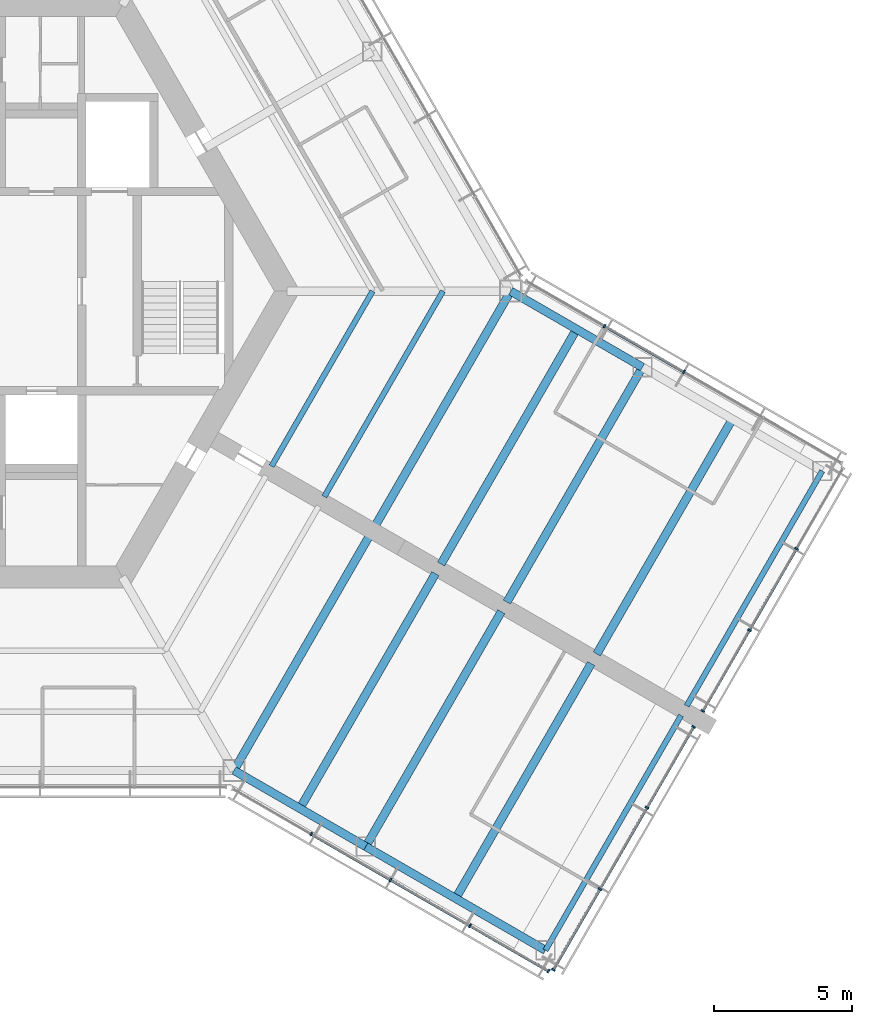
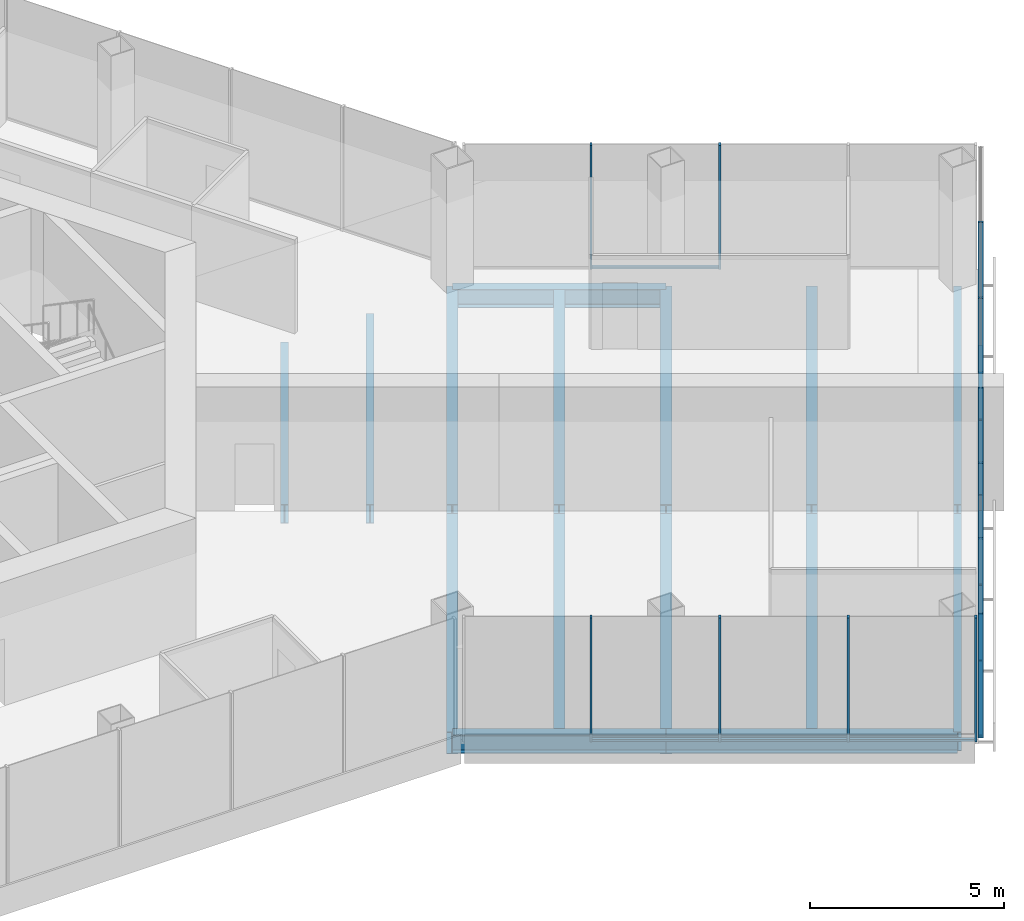
# One storey, part 4 of 15: 22 members, 15 beams, 4 elements without a shape of their own.
"""IFC4 building model written with IfcOpenShell, lengths in metres."""

from ifc_helpers import new_model, si_unit, direction, frame, origin, origin_2d, place, context, subcontext, project, spatial, rectangle, i_section, extrude, material, material_profile, profile_set, type_object, element, aggregate, save


model = new_model("IFC4")

# Units and contexts
model_context = context("Model", 3, precision=1e-05, world=origin(), true_north=direction((0.0, 1.0)))
body_context = subcontext(model_context, "Body", "Model", "MODEL_VIEW")
ifc_project = project(units=[si_unit("LENGTHUNIT", "METRE"), si_unit("AREAUNIT", "SQUARE_METRE"), si_unit("VOLUMEUNIT", "CUBIC_METRE"), si_unit("PLANEANGLEUNIT", "RADIAN"), si_unit("MASSUNIT", "GRAM", prefix="KILO")], contexts=[model_context])

# Site, building, storey
site_placement = place(None, origin())
site = spatial("IfcSite", under=ifc_project, at=site_placement, CompositionType="ELEMENT")
building_placement = place(site_placement, origin())
building = spatial("IfcBuilding", under=site, at=building_placement, Name="Kasaneha Research Tower", CompositionType="ELEMENT")
storey_placement = place(building_placement, frame((0.0, 0.0, 236.199951171875)))
storey = spatial("IfcBuildingStorey", under=building, at=storey_placement, Name="L59", CompositionType="ELEMENT", Elevation=236.199951171875)

# Beams
ifc_material_1 = material(Name="Steel SN490B", Category="steel")
ifc_material_profile_1 = material_profile(ifc_material_1, i_section(OverallWidth=0.199951171875, OverallDepth=0.60009765625, WebThickness=0.010986328125, FlangeThickness=0.01708984375, FilletRadius=0.012939453125, at=origin_2d()), Name="H-600x200x11x17")
ifc_profile_set_1 = profile_set([ifc_material_profile_1], Name="Steel SN490B")
beam_type_1 = type_object("IfcBeamType", Name="B1-3 secondary beam H-600x200x11x17", PredefinedType="JOIST", material=ifc_profile_set_1)
beam_1_placement = place(storey_placement, frame((15.010986328125, 0.0, -0.449951171875), z_axis=(-0.499974128195, -0.866040340363, 0.0), x_axis=(0.866040340363, -0.499974128195, 0.0)))
element("IfcBeam", 1, at=beam_1_placement, inside=storey, type_object=beam_type_1, Name="Secondary beam RS330R1 L59", PredefinedType="JOIST", context=body_context, shape_type="SweptSolid", body=[
    extrude(i_section(OverallWidth=0.199951171875, OverallDepth=0.60009765625, WebThickness=0.010986328125, FlangeThickness=0.01708984375, FilletRadius=0.012939453125, at=origin_2d()), origin(), (0.0, 0.0, 1.0), 7.3056640625),
])
beam_2_placement = place(storey_placement, frame((17.551513671875, 0.0, -0.449951171875), z_axis=(-0.500000102728, -0.866025344474, 0.0), x_axis=(0.866025344474, -0.500000102728, 0.0)))
element("IfcBeam", 2, at=beam_2_placement, inside=storey, type_object=beam_type_1, Name="Secondary beam RS330R2 L59", PredefinedType="JOIST", context=body_context, shape_type="SweptSolid", body=[
    extrude(i_section(OverallWidth=0.199951171875, OverallDepth=0.60009765625, WebThickness=0.010986328125, FlangeThickness=0.01708984375, FilletRadius=0.012939453125, at=origin_2d()), origin(), (0.0, 0.0, 1.0), 8.57568359375),
])
ifc_material_2 = material(Name="Steel SN490B", Category="steel")
ifc_material_profile_2 = material_profile(ifc_material_2, i_section(OverallWidth=0.300048828125, OverallDepth=0.58203125, WebThickness=0.011962890625, FlangeThickness=0.01708984375, FilletRadius=0.012939453125, at=origin_2d()), Name="H-582x300x12x17")
ifc_profile_set_2 = profile_set([ifc_material_profile_2], Name="Steel SN490B")
beam_type_2 = type_object("IfcBeamType", Name="B2-3 secondary beam H-582x300x12x17", PredefinedType="JOIST", material=ifc_profile_set_2)
for number, where, z_axis, x_axis, name in (
    (3, (12.381591796875, -18.695556640625, -0.44091796875), (0.49999201416, 0.866030014362, 0.0), (-0.866030014362, 0.49999201416, 0.0), "Secondary beam WBCP1 L59"),
    (4, (18.0107421875, -21.945556640625, -0.44091796875), (0.49999201416, 0.866030014362, 0.0), (-0.866030014362, 0.49999201416, 0.0), "Secondary beam WBCP2 L59"),
    (5, (22.381591796875, -1.375, -0.44091796875), (-0.49999201416, -0.866030014362, 0.0), (0.866030014362, -0.49999201416, 0.0), "Secondary beam WBCN1 L59"),
    (6, (28.0107421875, -4.625, -0.44091796875), (-0.49999201416, -0.866030014362, 0.0), (0.866030014362, -0.49999201416, 0.0), "Secondary beam WBCN2 L59"),
):
    element("IfcBeam", number, at=place(storey_placement, frame(where, z_axis=z_axis, x_axis=x_axis)), inside=storey, type_object=beam_type_2, Name=name, PredefinedType="JOIST", context=body_context, shape_type="SweptSolid", body=[
        extrude(i_section(OverallWidth=0.300048828125, OverallDepth=0.58203125, WebThickness=0.011962890625, FlangeThickness=0.01708984375, FilletRadius=0.012939453125, at=origin_2d()), origin(), (0.0, 0.0, 1.0), 9.800048828125),
    ])

# Curtain wall, members
ifc_material_3 = material(Name="Glass and aluminium", Category="aluminium")
curtain_wall_type = type_object("IfcCurtainWallType", Name="High-rise office curtain wall", PredefinedType="USERDEFINED", material=ifc_material_3)
curtain_wall_1_placement = place(storey_placement, origin())
curtain_wall_1 = element("IfcCurtainWall", 7, at=curtain_wall_1_placement, inside=storey, type_object=curtain_wall_type, Name="CW-O3 L59 run 06a", ObjectType="UNITISED CURTAIN WALL", PredefinedType="USERDEFINED")
ifc_material_4 = material(Name="Aluminium 6063-T6", Category="aluminium")
ifc_material_profile_3 = material_profile(ifc_material_4, rectangle(XDim=0.06005859375, YDim=0.139892578125, at=origin_2d()), Name="CW-O3 mullion 60x140")
ifc_profile_set_3 = profile_set([ifc_material_profile_3], Name="Aluminium 6063-T6")
member_type_1 = type_object("IfcMemberType", Name="CW-O3 mullion", PredefinedType="MULLION", material=ifc_profile_set_3)
member_1_placement = place(storey_placement, frame((12.792236328125, -19.62548828125, 0.0), z_axis=(0.0, 0.0, 1.0), x_axis=(0.866025411464, -0.499999986699, 0.0)))
member_1 = element("IfcMember", 8, at=member_1_placement, type_object=member_type_1, Name="CW-O3 mullion 2", PredefinedType="MULLION", context=body_context, shape_type="SweptSolid", body=[
    extrude(rectangle(XDim=0.06005859375, YDim=0.139892578125, at=origin_2d()), origin(), (0.0, 0.0, 1.0), 3.900146484375),
])
member_2_placement = place(storey_placement, frame((15.65869140625, -21.2802734375, 0.0), z_axis=(0.0, 0.0, 1.0), x_axis=(0.866025411464, -0.499999986699, 0.0)))
member_2 = element("IfcMember", 9, at=member_2_placement, type_object=member_type_1, Name="CW-O3 mullion 3", PredefinedType="MULLION", context=body_context, shape_type="SweptSolid", body=[
    extrude(rectangle(XDim=0.06005859375, YDim=0.139892578125, at=origin_2d()), origin(), (0.0, 0.0, 1.0), 3.900146484375),
])
member_3_placement = place(storey_placement, frame((18.52490234375, -22.935302734375, 0.0), z_axis=(0.0, 0.0, 1.0), x_axis=(0.866025411464, -0.499999986699, 0.0)))
member_3 = element("IfcMember", 10, at=member_3_placement, type_object=member_type_1, Name="CW-O3 mullion 4", PredefinedType="MULLION", context=body_context, shape_type="SweptSolid", body=[
    extrude(rectangle(XDim=0.06005859375, YDim=0.139892578125, at=origin_2d()), origin(), (0.0, 0.0, 1.0), 3.900146484375),
])
member_4_placement = place(storey_placement, frame((21.365478515625, -24.5751953125, 0.0), z_axis=(0.0, 0.0, 1.0), x_axis=(0.866025411464, -0.499999986699, 0.0)))
member_4 = element("IfcMember", 11, at=member_4_placement, type_object=member_type_1, Name="CW-O3 mullion 5", PredefinedType="MULLION", context=body_context, shape_type="SweptSolid", body=[
    extrude(rectangle(XDim=0.06005859375, YDim=0.139892578125, at=origin_2d()), origin(), (0.0, 0.0, 1.0), 3.900146484375),
])

curtain_wall_2_placement = place(storey_placement, origin())
curtain_wall_2 = element("IfcCurtainWall", 12, at=curtain_wall_2_placement, inside=storey, type_object=curtain_wall_type, Name="CW-O3 L59 run 07a", ObjectType="UNITISED CURTAIN WALL", PredefinedType="USERDEFINED")
member_5_placement = place(storey_placement, frame((21.54296875, -24.527587890625, 0.0), z_axis=(0.0, 0.0, 1.0), x_axis=(0.500000011442, 0.866025397178, 0.0)))
member_5 = element("IfcMember", 13, at=member_5_placement, type_object=member_type_1, Name="CW-O3 mullion 1", PredefinedType="MULLION", context=body_context, shape_type="SweptSolid", body=[
    extrude(rectangle(XDim=0.06005859375, YDim=0.139892578125, at=origin_2d()), origin(), (0.0, 0.0, 1.0), 3.900146484375),
])
member_6_placement = place(storey_placement, frame((23.22802734375, -21.609130859375, 0.0), z_axis=(0.0, 0.0, 1.0), x_axis=(0.500000011442, 0.866025397178, 0.0)))
member_6 = element("IfcMember", 14, at=member_6_placement, type_object=member_type_1, Name="CW-O3 mullion 2", PredefinedType="MULLION", context=body_context, shape_type="SweptSolid", body=[
    extrude(rectangle(XDim=0.06005859375, YDim=0.139892578125, at=origin_2d()), origin(), (0.0, 0.0, 1.0), 3.900146484375),
])
member_7_placement = place(storey_placement, frame((24.927978515625, -18.66455078125, 0.0), z_axis=(0.0, 0.0, 1.0), x_axis=(0.500000011442, 0.866025397178, 0.0)))
member_7 = element("IfcMember", 15, at=member_7_placement, type_object=member_type_1, Name="CW-O3 mullion 3", PredefinedType="MULLION", context=body_context, shape_type="SweptSolid", body=[
    extrude(rectangle(XDim=0.06005859375, YDim=0.139892578125, at=origin_2d()), origin(), (0.0, 0.0, 1.0), 3.900146484375),
])
member_8_placement = place(storey_placement, frame((26.613037109375, -15.74609375, 0.0), z_axis=(0.0, 0.0, 1.0), x_axis=(0.500000011442, 0.866025397178, 0.0)))
member_8 = element("IfcMember", 16, at=member_8_placement, type_object=member_type_1, Name="CW-O3 mullion 4", PredefinedType="MULLION", context=body_context, shape_type="SweptSolid", body=[
    extrude(rectangle(XDim=0.06005859375, YDim=0.139892578125, at=origin_2d()), origin(), (0.0, 0.0, 1.0), 3.900146484375),
])

curtain_wall_3_placement = place(storey_placement, origin())
curtain_wall_3 = element("IfcCurtainWall", 17, at=curtain_wall_3_placement, inside=storey, type_object=curtain_wall_type, Name="CW-O3 L59 run 08a", ObjectType="UNITISED CURTAIN WALL", PredefinedType="USERDEFINED")
member_9_placement = place(storey_placement, frame((26.94287109375, -15.174560546875, 0.0), z_axis=(0.0, 0.0, 1.0), x_axis=(0.500000011442, 0.866025397178, 0.0)))
member_9 = element("IfcMember", 18, at=member_9_placement, type_object=member_type_1, Name="CW-O3 mullion 1", PredefinedType="MULLION", context=body_context, shape_type="SweptSolid", body=[
    extrude(rectangle(XDim=0.06005859375, YDim=0.139892578125, at=origin_2d()), origin(), (0.0, 0.0, 1.0), 3.900146484375),
])
member_10_placement = place(storey_placement, frame((28.6279296875, -12.255859375, 0.0), z_axis=(0.0, 0.0, 1.0), x_axis=(0.500000011442, 0.866025397178, 0.0)))
member_10 = element("IfcMember", 19, at=member_10_placement, type_object=member_type_1, Name="CW-O3 mullion 2", PredefinedType="MULLION", context=body_context, shape_type="SweptSolid", body=[
    extrude(rectangle(XDim=0.06005859375, YDim=0.139892578125, at=origin_2d()), origin(), (0.0, 0.0, 1.0), 3.900146484375),
])
member_11_placement = place(storey_placement, frame((30.327880859375, -9.3115234375, 0.0), z_axis=(0.0, 0.0, 1.0), x_axis=(0.500000011442, 0.866025397178, 0.0)))
member_11 = element("IfcMember", 20, at=member_11_placement, type_object=member_type_1, Name="CW-O3 mullion 3", PredefinedType="MULLION", context=body_context, shape_type="SweptSolid", body=[
    extrude(rectangle(XDim=0.06005859375, YDim=0.139892578125, at=origin_2d()), origin(), (0.0, 0.0, 1.0), 3.900146484375),
])

curtain_wall_4_placement = place(storey_placement, origin())
curtain_wall_4 = element("IfcCurtainWall", 21, at=curtain_wall_4_placement, inside=storey, type_object=curtain_wall_type, Name="CW-O3 L59 run 09a", ObjectType="UNITISED CURTAIN WALL", PredefinedType="USERDEFINED")
member_12_placement = place(storey_placement, frame((26.258544921875, -2.920654296875, 0.0), z_axis=(0.0, 0.0, 1.0), x_axis=(-0.866025411464, 0.499999986699, 0.0)))
member_12 = element("IfcMember", 22, at=member_12_placement, type_object=member_type_1, Name="CW-O3 mullion 3", PredefinedType="MULLION", context=body_context, shape_type="SweptSolid", body=[
    extrude(rectangle(XDim=0.06005859375, YDim=0.139892578125, at=origin_2d()), origin(), (0.0, 0.0, 1.0), 3.900146484375),
])
member_13_placement = place(storey_placement, frame((23.39208984375, -1.265625, 0.0), z_axis=(0.0, 0.0, 1.0), x_axis=(-0.866025411464, 0.499999986699, 0.0)))
member_13 = element("IfcMember", 23, at=member_13_placement, type_object=member_type_1, Name="CW-O3 mullion 4", PredefinedType="MULLION", context=body_context, shape_type="SweptSolid", body=[
    extrude(rectangle(XDim=0.06005859375, YDim=0.139892578125, at=origin_2d()), origin(), (0.0, 0.0, 1.0), 3.900146484375),
])

# Member
ifc_material_5 = material(Name="Aluminium 6063-T6", Category="aluminium")
ifc_material_profile_4 = material_profile(ifc_material_5, rectangle(XDim=0.10009765625, YDim=0.06005859375, at=origin_2d()), Name="CW-O3 transom 100x60")
ifc_profile_set_4 = profile_set([ifc_material_profile_4], Name="Aluminium 6063-T6")
member_type_2 = type_object("IfcMemberType", Name="CW-O3 transom", PredefinedType="USERDEFINED", material=ifc_profile_set_4)
member_14_placement = place(storey_placement, frame((12.818115234375, -19.640380859375, 0.030029296875), z_axis=(0.866015446554, -0.500017246033, 0.0), x_axis=(0.500017246033, 0.866015446554, 0.0)))
member_14 = element("IfcMember", 24, at=member_14_placement, type_object=member_type_2, Name="CW-O3 transom 2", ObjectType="TRANSOM", PredefinedType="USERDEFINED", context=body_context, shape_type="SweptSolid", body=[
    extrude(rectangle(XDim=0.10009765625, YDim=0.06005859375, at=origin_2d()), origin(), (0.0, 0.0, 1.0), 3.25),
])

member_15_placement = place(storey_placement, frame((15.6845703125, -21.29541015625, 0.030029296875), z_axis=(0.86604797581, -0.499960902066, 0.0), x_axis=(0.499960902066, 0.86604797581, 0.0)))
member_15 = element("IfcMember", 25, at=member_15_placement, type_object=member_type_2, Name="CW-O3 transom 3", ObjectType="TRANSOM", PredefinedType="USERDEFINED", context=body_context, shape_type="SweptSolid", body=[
    extrude(rectangle(XDim=0.10009765625, YDim=0.06005859375, at=origin_2d()), origin(), (0.0, 0.0, 1.0), 3.249755859375),
])

member_16_placement = place(storey_placement, frame((18.551025390625, -22.9501953125, 0.030029296875), z_axis=(0.866022692473, -0.500004696101, 0.0), x_axis=(0.500004696101, 0.866022692473, 0.0)))
member_16 = element("IfcMember", 26, at=member_16_placement, type_object=member_type_2, Name="CW-O3 transom 4", ObjectType="TRANSOM", PredefinedType="USERDEFINED", context=body_context, shape_type="SweptSolid", body=[
    extrude(rectangle(XDim=0.10009765625, YDim=0.06005859375, at=origin_2d()), origin(), (0.0, 0.0, 1.0), 3.2197265625),
])

aggregate(curtain_wall_1, [member_1, member_2, member_3, member_4, member_14, member_15, member_16])

member_17_placement = place(storey_placement, frame((21.557861328125, -24.50146484375, 0.030029296875), z_axis=(0.500018282537, 0.866014848099, 0.0), x_axis=(-0.866014848099, 0.500018282537, 0.0)))
member_17 = element("IfcMember", 27, at=member_17_placement, type_object=member_type_2, Name="CW-O3 transom 1", ObjectType="TRANSOM", PredefinedType="USERDEFINED", context=body_context, shape_type="SweptSolid", body=[
    extrude(rectangle(XDim=0.10009765625, YDim=0.06005859375, at=origin_2d()), origin(), (0.0, 0.0, 1.0), 3.31005859375),
])

member_18_placement = place(storey_placement, frame((23.242919921875, -21.5830078125, 0.030029296875), z_axis=(0.499975549825, 0.866039519639, 0.0), x_axis=(-0.866039519639, 0.499975549825, 0.0)))
member_18 = element("IfcMember", 28, at=member_18_placement, type_object=member_type_2, Name="CW-O3 transom 2", ObjectType="TRANSOM", PredefinedType="USERDEFINED", context=body_context, shape_type="SweptSolid", body=[
    extrude(rectangle(XDim=0.10009765625, YDim=0.06005859375, at=origin_2d()), origin(), (0.0, 0.0, 1.0), 3.340087890625),
])

member_19_placement = place(storey_placement, frame((24.94287109375, -18.638671875, 0.030029296875), z_axis=(0.49998634449, 0.866033287653, 0.0), x_axis=(-0.866033287653, 0.49998634449, 0.0)))
member_19 = element("IfcMember", 29, at=member_19_placement, type_object=member_type_2, Name="CW-O3 transom 3", ObjectType="TRANSOM", PredefinedType="USERDEFINED", context=body_context, shape_type="SweptSolid", body=[
    extrude(rectangle(XDim=0.10009765625, YDim=0.06005859375, at=origin_2d()), origin(), (0.0, 0.0, 1.0), 3.31005859375),
])

aggregate(curtain_wall_2, [member_5, member_6, member_7, member_8, member_17, member_18, member_19])

member_20_placement = place(storey_placement, frame((26.9580078125, -15.1484375, 0.030029296875), z_axis=(0.500018282537, 0.866014848099, 0.0), x_axis=(-0.866014848099, 0.500018282537, 0.0)))
member_20 = element("IfcMember", 30, at=member_20_placement, type_object=member_type_2, Name="CW-O3 transom 1", ObjectType="TRANSOM", PredefinedType="USERDEFINED", context=body_context, shape_type="SweptSolid", body=[
    extrude(rectangle(XDim=0.10009765625, YDim=0.06005859375, at=origin_2d()), origin(), (0.0, 0.0, 1.0), 3.31005859375),
])

member_21_placement = place(storey_placement, frame((28.64306640625, -12.22998046875, 0.030029296875), z_axis=(0.499975549825, 0.866039519639, 0.0), x_axis=(-0.866039519639, 0.499975549825, 0.0)))
member_21 = element("IfcMember", 31, at=member_21_placement, type_object=member_type_2, Name="CW-O3 transom 2", ObjectType="TRANSOM", PredefinedType="USERDEFINED", context=body_context, shape_type="SweptSolid", body=[
    extrude(rectangle(XDim=0.10009765625, YDim=0.06005859375, at=origin_2d()), origin(), (0.0, 0.0, 1.0), 3.340087890625),
])

aggregate(curtain_wall_3, [member_9, member_10, member_11, member_20, member_21])

member_22_placement = place(storey_placement, frame((26.232666015625, -2.905517578125, 0.030029296875), z_axis=(-0.86604797581, 0.499960902066, 0.0), x_axis=(-0.499960902066, -0.86604797581, 0.0)))
member_22 = element("IfcMember", 32, at=member_22_placement, type_object=member_type_2, Name="CW-O3 transom 3", ObjectType="TRANSOM", PredefinedType="USERDEFINED", context=body_context, shape_type="SweptSolid", body=[
    extrude(rectangle(XDim=0.10009765625, YDim=0.06005859375, at=origin_2d()), origin(), (0.0, 0.0, 1.0), 3.249755859375),
])

aggregate(curtain_wall_4, [member_12, member_13, member_22])

# Beams
ifc_material_6 = material(Name="Steel SN490B", Category="steel")
ifc_material_profile_5 = material_profile(ifc_material_6, i_section(OverallWidth=0.300048828125, OverallDepth=0.69189453125, WebThickness=0.012939453125, FlangeThickness=0.02001953125, FilletRadius=0.01806640625, at=origin_2d()), Name="H-692x300x13x20")
ifc_profile_set_5 = profile_set([ifc_material_profile_5], Name="Steel SN490B")
beam_type_3 = type_object("IfcBeamType", Name="G3-3 plate edge girder H-692x300x13x20", PredefinedType="BEAM", material=ifc_profile_set_5)
for number, where, z_axis, x_axis, name in (
    (33, (10.0, -17.320556640625, -0.495849609375), (0.49999201416, 0.866030014362, 0.0), (-0.866030014362, 0.49999201416, 0.0), "Plate edge girder PECP L59"),
    (34, (20.0, 0.0, -0.495849609375), (-0.49999201416, -0.866030014362, 0.0), (0.866030014362, -0.49999201416, 0.0), "Plate edge girder PECN L59"),
):
    element("IfcBeam", number, at=place(storey_placement, frame(where, z_axis=z_axis, x_axis=x_axis)), inside=storey, type_object=beam_type_3, Name=name, PredefinedType="BEAM", context=body_context, shape_type="SweptSolid", body=[
        extrude(i_section(OverallWidth=0.300048828125, OverallDepth=0.69189453125, WebThickness=0.012939453125, FlangeThickness=0.02001953125, FilletRadius=0.01806640625, at=origin_2d()), origin(), (0.0, 0.0, 1.0), 9.800048828125),
    ])
ifc_material_7 = material(Name="Steel SN490B", Category="steel")
ifc_material_profile_6 = material_profile(ifc_material_7, i_section(OverallWidth=0.300048828125, OverallDepth=0.699951171875, WebThickness=0.012939453125, FlangeThickness=0.02392578125, FilletRadius=0.01806640625, at=origin_2d()), Name="H-700x300x13x24")
ifc_profile_set_6 = profile_set([ifc_material_profile_6], Name="Steel SN490B")
beam_type_4 = type_object("IfcBeamType", Name="G4-3 wing girder H-700x300x13x24", PredefinedType="BEAM", material=ifc_profile_set_6)
for number, where, z_axis, x_axis, name in (
    (35, (14.76318359375, -20.070556640625, -0.5), (0.49999201416, 0.866030014362, 0.0), (-0.866030014362, 0.49999201416, 0.0), "Wing girder WGCP L59"),
    (36, (24.76318359375, -2.75, -0.5), (-0.500010698315, -0.866019227021, 0.0), (0.866019227021, -0.500010698315, 0.0), "Wing girder WGCN L59"),
):
    element("IfcBeam", number, at=place(storey_placement, frame(where, z_axis=z_axis, x_axis=x_axis)), inside=storey, type_object=beam_type_4, Name=name, PredefinedType="BEAM", context=body_context, shape_type="SweptSolid", body=[
        extrude(i_section(OverallWidth=0.300048828125, OverallDepth=0.699951171875, WebThickness=0.012939453125, FlangeThickness=0.02392578125, FilletRadius=0.01806640625, at=origin_2d()), origin(), (0.0, 0.0, 1.0), 9.800048828125),
    ])
ifc_material_8 = material(Name="Steel SN490B", Category="steel")
ifc_material_profile_7 = material_profile(ifc_material_8, i_section(OverallWidth=0.300048828125, OverallDepth=0.58203125, WebThickness=0.011962890625, FlangeThickness=0.01708984375, FilletRadius=0.012939453125, at=origin_2d()), Name="H-582x300x12x17")
ifc_profile_set_7 = profile_set([ifc_material_profile_7], Name="Steel SN490B")
beam_type_5 = type_object("IfcBeamType", Name="SB2-3 spandrel beam H-582x300x12x17", PredefinedType="SPANDREL", material=ifc_profile_set_7)
beam_3_placement = place(storey_placement, frame((10.0, -17.320556640625, -0.44091796875), z_axis=(0.866027397988, -0.499996545922, 0.0), x_axis=(0.499996545922, 0.866027397988, 0.0)))
element("IfcBeam", 37, at=beam_3_placement, inside=storey, type_object=beam_type_5, Name="Spandrel beam WSCP1 L59", PredefinedType="SPANDREL", context=body_context, shape_type="SweptSolid", body=[
    extrude(i_section(OverallWidth=0.300048828125, OverallDepth=0.58203125, WebThickness=0.011962890625, FlangeThickness=0.01708984375, FilletRadius=0.012939453125, at=origin_2d()), origin(), (0.0, 0.0, 1.0), 5.5),
])
beam_4_placement = place(storey_placement, frame((14.76318359375, -20.070556640625, -0.44091796875), z_axis=(0.866022959057, -0.500004234368, 0.0), x_axis=(0.500004234368, 0.866022959057, 0.0)))
element("IfcBeam", 38, at=beam_4_placement, inside=storey, type_object=beam_type_5, Name="Spandrel beam WSCP2 L59", PredefinedType="SPANDREL", context=body_context, shape_type="SweptSolid", body=[
    extrude(i_section(OverallWidth=0.300048828125, OverallDepth=0.58203125, WebThickness=0.011962890625, FlangeThickness=0.01708984375, FilletRadius=0.012939453125, at=origin_2d()), origin(), (0.0, 0.0, 1.0), 7.5),
])
beam_5_placement = place(storey_placement, frame((20.0, 0.0, -0.44091796875), z_axis=(0.866027397988, -0.499996545922, 0.0), x_axis=(0.499996545922, 0.866027397988, 0.0)))
element("IfcBeam", 39, at=beam_5_placement, inside=storey, type_object=beam_type_5, Name="Spandrel beam WSCN1 L59", PredefinedType="SPANDREL", context=body_context, shape_type="SweptSolid", body=[
    extrude(i_section(OverallWidth=0.300048828125, OverallDepth=0.58203125, WebThickness=0.011962890625, FlangeThickness=0.01708984375, FilletRadius=0.012939453125, at=origin_2d()), origin(), (0.0, 0.0, 1.0), 5.5),
])
ifc_material_9 = material(Name="Steel SN490B", Category="steel")
ifc_material_profile_8 = material_profile(ifc_material_9, i_section(OverallWidth=0.199951171875, OverallDepth=0.60009765625, WebThickness=0.010986328125, FlangeThickness=0.01708984375, FilletRadius=0.012939453125, at=origin_2d()), Name="H-600x200x11x17")
ifc_profile_set_8 = profile_set([ifc_material_profile_8], Name="Steel SN490B")
beam_type_6 = type_object("IfcBeamType", Name="SB3-3 spandrel beam H-600x200x11x17", PredefinedType="SPANDREL", material=ifc_profile_set_8)
for number, where, z_axis, x_axis, name in (
    (40, (21.25830078125, -23.820556640625, -0.449951171875), (0.500010698315, 0.866019227021, 0.0), (-0.866019227021, 0.500010698315, 0.0), "Spandrel beam WTCP L59"),
    (41, (31.25830078125, -6.5, -0.449951171875), (-0.49999201416, -0.866030014362, 0.0), (0.866030014362, -0.49999201416, 0.0), "Spandrel beam WTCN L59"),
):
    element("IfcBeam", number, at=place(storey_placement, frame(where, z_axis=z_axis, x_axis=x_axis)), inside=storey, type_object=beam_type_6, Name=name, PredefinedType="SPANDREL", context=body_context, shape_type="SweptSolid", body=[
        extrude(i_section(OverallWidth=0.199951171875, OverallDepth=0.60009765625, WebThickness=0.010986328125, FlangeThickness=0.01708984375, FilletRadius=0.012939453125, at=origin_2d()), origin(), (0.0, 0.0, 1.0), 9.800048828125),
    ])

save(model, "model.ifc")
